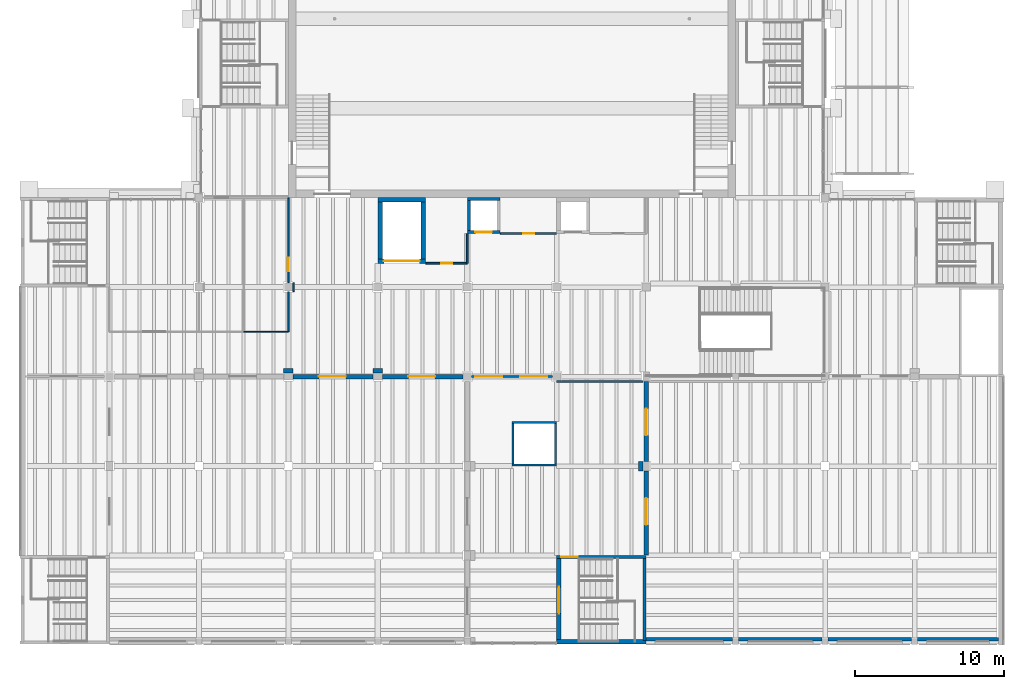
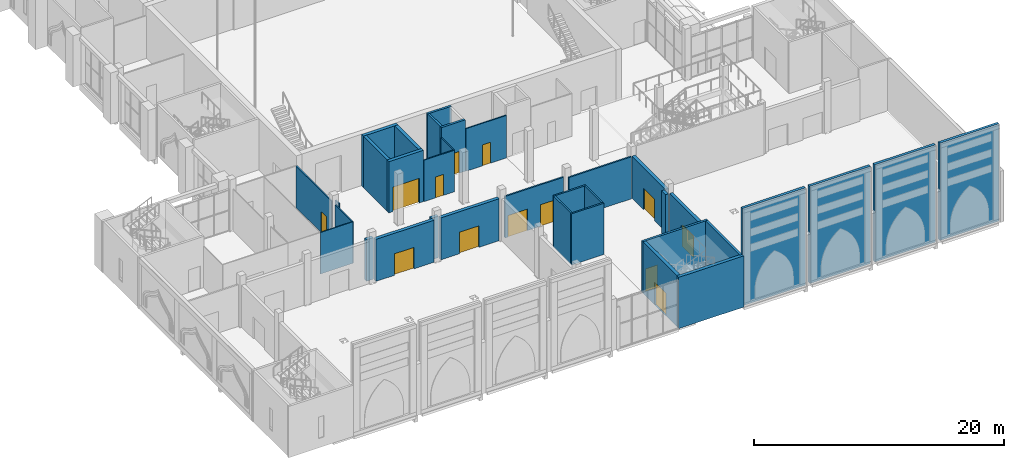
# One storey, part 38 of 80: 35 walls, 13 doors, 13 openings.
"""IFC4 building model written with IfcOpenShell, lengths in metres."""

from ifc_helpers import new_model, si_unit, direction, frame, frame_2d, origin, place, context, subcontext, project, spatial, rectangle, extrude, material, layer, layer_set, type_object, element, fill, save


model = new_model("IFC4")

# Units and contexts
model_context = context("Model", 3, precision=1e-05, world=origin(), true_north=direction((0.0, 1.0)))
body_context = subcontext(model_context, "Body", "Model", "MODEL_VIEW")
ifc_project = project(units=[si_unit("LENGTHUNIT", "METRE"), si_unit("AREAUNIT", "SQUARE_METRE"), si_unit("VOLUMEUNIT", "CUBIC_METRE"), si_unit("PLANEANGLEUNIT", "RADIAN"), si_unit("MASSUNIT", "GRAM", prefix="KILO")], contexts=[model_context])

# Site, building, storey
site_placement = place(None, origin())
site = spatial("IfcSite", under=ifc_project, at=site_placement, CompositionType="ELEMENT")
building_placement = place(site_placement, origin())
building = spatial("IfcBuilding", under=site, at=building_placement, Name="Saffron Lane Theatres", CompositionType="ELEMENT")
storey_placement = place(building_placement, frame((0.0, 0.0, 7.0)))
storey = spatial("IfcBuildingStorey", under=building, at=storey_placement, Name="L01", CompositionType="ELEMENT", Elevation=7.0)

# Walls
ifc_material_1 = material(Name="Masonry pale clay brick", Category="masonry")
ifc_layer_1 = layer(ifc_material_1, 0.25)
ifc_layer_set_1 = layer_set([ifc_layer_1], Name="Masonry pale clay brick")
wall_type_1 = type_object("IfcWallType", Name="EX-WALL BRICK 250", PredefinedType="SOLIDWALL", material=ifc_layer_set_1)
wall_1_placement = place(storey_placement, frame((65.639892578125, 0.375, 0.0), z_axis=(0.0, 0.0, 1.0), x_axis=(-1.0, 0.0, 0.0)))
element("IfcWall", 1, at=wall_1_placement, inside=storey, type_object=wall_type_1, Name="External wall L01 18", PredefinedType="SOLIDWALL", context=body_context, shape_type="SweptSolid", body=[
    extrude(rectangle(XDim=5.43994140625, YDim=0.25, at=frame_2d((2.719970703125, 0.0))), origin(), (0.0, 0.0, 1.0), 9.5),
])
for number, where, z_axis, x_axis, name in (
    (2, (59.800048828125, 0.375, 0.0), (0.0, 0.0, 1.0), (-1.0, 0.0, 0.0), "External wall L01 19"),
    (3, (53.800048828125, 0.375, 0.0), (0.0, 0.0, 1.0), (-1.0, 0.0, 0.0), "External wall L01 20"),
):
    element("IfcWall", number, at=place(storey_placement, frame(where, z_axis=z_axis, x_axis=x_axis)), inside=storey, type_object=wall_type_1, Name=name, PredefinedType="SOLIDWALL", context=body_context, shape_type="SweptSolid", body=[
        extrude(rectangle(XDim=5.60009765625, YDim=0.25, at=frame_2d((2.800048828125, 0.0))), origin(), (0.0, 0.0, 1.0), 9.5),
    ])
wall_2_placement = place(storey_placement, frame((47.800048828125, 0.375, 0.0), z_axis=(0.0, 0.0, 1.0), x_axis=(-1.0, 0.0, 0.0)))
element("IfcWall", 4, at=wall_2_placement, inside=storey, type_object=wall_type_1, Name="External wall L01 21", PredefinedType="SOLIDWALL", context=body_context, shape_type="SweptSolid", body=[
    extrude(rectangle(XDim=5.800048828125, YDim=0.25, at=frame_2d((2.89990234375, 0.0))), origin(), (0.0, 0.0, 1.0), 9.5),
])

# Wall, opening, door
ifc_material_2 = material(Name="Acoustic masonry fire wall", Category="masonry")
ifc_layer_2 = layer(ifc_material_2, 0.300048828125)
ifc_layer_set_2 = layer_set([ifc_layer_2], Name="Acoustic masonry fire wall")
wall_type_2 = type_object("IfcWallType", Name="IN-ACOUSTIC FIRE WALL 300", PredefinedType="PARTITIONING", material=ifc_layer_set_2)
wall_3_placement = place(storey_placement, frame((18.320068359375, 18.0, 0.0), z_axis=(0.0, 0.0, 1.0), x_axis=(1.0, 0.0, 0.0)))
wall_3 = element("IfcWall", 5, at=wall_3_placement, inside=storey, type_object=wall_type_2, Name="PW-L01-003", PredefinedType="PARTITIONING", context=body_context, shape_type="SweptSolid", body=[
    extrude(rectangle(XDim=5.35986328125, YDim=0.300048828125, at=frame_2d((2.679931640625, 0.0))), origin(), (0.0, 0.0, 1.0), 4.10009765625),
])
opening_1_placement = place(wall_3_placement, frame((1.72998046875, 0.0, 0.0)))
opening_1 = element("IfcOpeningElement", 6, at=opening_1_placement, cuts=wall_3, Name="Opening D01-19", PredefinedType="OPENING", context=body_context, shape_type="SweptSolid", body=[
    extrude(rectangle(XDim=1.800048828125, YDim=2.10009765625, at=frame_2d((0.89990234375, 1.050048828125))), frame((0.0, 0.16015625, 0.0), z_axis=(0.0, -1.0, 0.0), x_axis=(1.0, 0.0, 0.0)), (0.0, 0.0, 1.0), 0.320068359375),
])
ifc_material_3 = material(Name="Steel faced fire door leaf", Category="steel")
door_type_1 = type_object("IfcDoorType", Name="IN-DOOR 1800x2100 FD120", OperationType="DOUBLE_DOOR_SINGLE_SWING", PredefinedType="DOOR", material=ifc_material_3)
door_1_placement = place(opening_1_placement, origin())
door_1 = element("IfcDoor", 7, at=door_1_placement, inside=storey, type_object=door_type_1, Name="D01-19", OperationType="DOUBLE_DOOR_SINGLE_SWING", OverallHeight=2.10009765625, OverallWidth=1.800048828125, PredefinedType="DOOR", context=body_context, shape_type="SweptSolid", body=[
    extrude(rectangle(XDim=1.800048828125, YDim=2.10009765625, at=frame_2d((0.89990234375, 1.050048828125))), frame((0.0, 0.02490234375, 0.0), z_axis=(0.0, -1.0, 0.0), x_axis=(1.0, 0.0, 0.0)), (0.0, 0.0, 1.0), 0.050048828125),
])
fill(opening_1, door_1)

wall_4_placement = place(storey_placement, frame((24.320068359375, 18.0, 0.0), z_axis=(0.0, 0.0, 1.0), x_axis=(1.0, 0.0, 0.0)))
wall_4 = element("IfcWall", 8, at=wall_4_placement, inside=storey, type_object=wall_type_2, Name="PW-L01-004", PredefinedType="PARTITIONING", context=body_context, shape_type="SweptSolid", body=[
    extrude(rectangle(XDim=5.385009765625, YDim=0.300048828125, at=frame_2d((2.6923828125, 0.0))), origin(), (0.0, 0.0, 1.0), 4.10009765625),
])
opening_2_placement = place(wall_4_placement, frame((1.72998046875, 0.0, 0.0)))
opening_2 = element("IfcOpeningElement", 9, at=opening_2_placement, cuts=wall_4, Name="Opening D01-24", PredefinedType="OPENING", context=body_context, shape_type="SweptSolid", body=[
    extrude(rectangle(XDim=1.800048828125, YDim=2.10009765625, at=frame_2d((0.89990234375, 1.050048828125))), frame((0.0, 0.16015625, 0.0), z_axis=(0.0, -1.0, 0.0), x_axis=(1.0, 0.0, 0.0)), (0.0, 0.0, 1.0), 0.320068359375),
])
door_2_placement = place(opening_2_placement, origin())
door_2 = element("IfcDoor", 10, at=door_2_placement, inside=storey, type_object=door_type_1, Name="D01-24", OperationType="DOUBLE_DOOR_SINGLE_SWING", OverallHeight=2.10009765625, OverallWidth=1.800048828125, PredefinedType="DOOR", context=body_context, shape_type="SweptSolid", body=[
    extrude(rectangle(XDim=1.800048828125, YDim=2.10009765625, at=frame_2d((0.89990234375, 1.050048828125))), frame((0.0, 0.02490234375, 0.0), z_axis=(0.0, -1.0, 0.0), x_axis=(1.0, 0.0, 0.0)), (0.0, 0.0, 1.0), 0.050048828125),
])
fill(opening_2, door_2)

# Walls
for number, where, z_axis, x_axis, name in (
    (11, (17.679931640625, 18.3798828125, 0.0), (0.0, 0.0, 1.0), (1.0, 0.0, 0.0), "PW-L01-006"),
    (12, (23.679931640625, 18.3798828125, 0.0), (0.0, 0.0, 1.0), (1.0, 0.0, 0.0), "PW-L01-007"),
):
    element("IfcWall", number, at=place(storey_placement, frame(where, z_axis=z_axis, x_axis=x_axis)), inside=storey, type_object=wall_type_2, Name=name, PredefinedType="PARTITIONING", context=body_context, shape_type="SweptSolid", body=[
        extrude(rectangle(XDim=0.64013671875, YDim=0.300048828125, at=frame_2d((0.320068359375, 0.0))), origin(), (0.0, 0.0, 1.0), 4.050048828125),
    ])

# Wall, opening, door
ifc_material_4 = material(Name="Plasterboard")
ifc_layer_3 = layer(ifc_material_4, 0.026, Name="lining")
ifc_material_5 = material(Name="Mineral wool insulation")
ifc_layer_4 = layer(ifc_material_5, 0.087, Name="stud zone")
ifc_material_6 = material(Name="Air cavity", Category="air")
ifc_layer_5 = layer(ifc_material_6, 0.1, ventilated=True, Name="air gap")
ifc_layer_6 = layer(ifc_material_5, 0.061, Name="stud zone")
ifc_layer_7 = layer(ifc_material_4, 0.026, Name="lining")
ifc_layer_set_3 = layer_set([ifc_layer_3, ifc_layer_4, ifc_layer_5, ifc_layer_6, ifc_layer_7], Name="Acoustic plasterboard wall")
wall_type_3 = type_object("IfcWallType", Name="IN-ACOUSTIC WALL 300", PredefinedType="PARTITIONING", material=ifc_layer_set_3)
wall_5_placement = place(storey_placement, frame((42.0, 12.320068359375, 0.0), z_axis=(0.0, 0.0, 1.0), x_axis=(0.0, 1.0, 0.0)))
wall_5 = element("IfcWall", 13, at=wall_5_placement, inside=storey, type_object=wall_type_3, Name="PW-L01-019", PredefinedType="PARTITIONING", context=body_context, shape_type="SweptSolid", body=[
    extrude(rectangle(XDim=5.35986328125, YDim=0.300048828125, at=frame_2d((2.679931640625, 0.0))), origin(), (0.0, 0.0, 1.0), 4.10009765625),
])
opening_3_placement = place(wall_5_placement, frame((1.72998046875, 0.0, 0.0)))
opening_3 = element("IfcOpeningElement", 14, at=opening_3_placement, cuts=wall_5, Name="Opening D01-29", PredefinedType="OPENING", context=body_context, shape_type="SweptSolid", body=[
    extrude(rectangle(XDim=1.800048828125, YDim=2.10009765625, at=frame_2d((0.89990234375, 1.050048828125))), frame((0.0, 0.16015625, 0.0), z_axis=(0.0, -1.0, 0.0), x_axis=(1.0, 0.0, 0.0)), (0.0, 0.0, 1.0), 0.320068359375),
])
ifc_material_7 = material(Name="Steel faced fire door leaf", Category="steel")
door_type_2 = type_object("IfcDoorType", Name="IN-DOOR 1800x2100 FD60", OperationType="DOUBLE_DOOR_SINGLE_SWING", PredefinedType="DOOR", material=ifc_material_7)
door_3_placement = place(opening_3_placement, origin())
door_3 = element("IfcDoor", 15, at=door_3_placement, inside=storey, type_object=door_type_2, Name="D01-29", OperationType="DOUBLE_DOOR_SINGLE_SWING", OverallHeight=2.10009765625, OverallWidth=1.800048828125, PredefinedType="DOOR", context=body_context, shape_type="SweptSolid", body=[
    extrude(rectangle(XDim=1.800048828125, YDim=2.10009765625, at=frame_2d((0.89990234375, 1.050048828125))), frame((0.0, 0.02490234375, 0.0), z_axis=(0.0, -1.0, 0.0), x_axis=(1.0, 0.0, 0.0)), (0.0, 0.0, 1.0), 0.050048828125),
])
fill(opening_3, door_3)

wall_6_placement = place(storey_placement, frame((42.0, 6.02001953125, 0.0), z_axis=(0.0, 0.0, 1.0), x_axis=(0.0, 1.0, 0.0)))
wall_6 = element("IfcWall", 16, at=wall_6_placement, inside=storey, type_object=wall_type_3, Name="PW-L01-020", PredefinedType="PARTITIONING", context=body_context, shape_type="SweptSolid", body=[
    extrude(rectangle(XDim=5.659912109375, YDim=0.300048828125, at=frame_2d((2.830078125, 0.0))), origin(), (0.0, 0.0, 1.0), 4.10009765625),
])
opening_4_placement = place(wall_6_placement, frame((2.030029296875, 0.0, 0.0)))
opening_4 = element("IfcOpeningElement", 17, at=opening_4_placement, cuts=wall_6, Name="Opening D01-28", PredefinedType="OPENING", context=body_context, shape_type="SweptSolid", body=[
    extrude(rectangle(XDim=1.800048828125, YDim=2.10009765625, at=frame_2d((0.89990234375, 1.050048828125))), frame((0.0, 0.16015625, 0.0), z_axis=(0.0, -1.0, 0.0), x_axis=(1.0, 0.0, 0.0)), (0.0, 0.0, 1.0), 0.320068359375),
])
door_4_placement = place(opening_4_placement, origin())
door_4 = element("IfcDoor", 18, at=door_4_placement, inside=storey, type_object=door_type_2, Name="D01-28", OperationType="DOUBLE_DOOR_SINGLE_SWING", OverallHeight=2.10009765625, OverallWidth=1.800048828125, PredefinedType="DOOR", context=body_context, shape_type="SweptSolid", body=[
    extrude(rectangle(XDim=1.800048828125, YDim=2.10009765625, at=frame_2d((0.89990234375, 1.050048828125))), frame((0.0, 0.02490234375, 0.0), z_axis=(0.0, -1.0, 0.0), x_axis=(1.0, 0.0, 0.0)), (0.0, 0.0, 1.0), 0.050048828125),
])
fill(opening_4, door_4)

# Walls
wall_7_placement = place(storey_placement, frame((41.6201171875, 11.679931640625, 0.0), z_axis=(0.0, 0.0, 1.0), x_axis=(0.0, 1.0, 0.0)))
element("IfcWall", 19, at=wall_7_placement, inside=storey, type_object=wall_type_3, Name="PW-L01-021", PredefinedType="PARTITIONING", context=body_context, shape_type="SweptSolid", body=[
    extrude(rectangle(XDim=0.64013671875, YDim=0.300048828125, at=frame_2d((0.320068359375, 0.0))), origin(), (0.0, 0.0, 1.0), 4.10009765625),
])
ifc_material_8 = material(Name="Masonry block partition", Category="masonry")
ifc_layer_8 = layer(ifc_material_8, 0.110107421875)
ifc_layer_set_4 = layer_set([ifc_layer_8], Name="Masonry block partition")
wall_type_4 = type_object("IfcWallType", Name="IN-BLOCK PARTITION 110", PredefinedType="PARTITIONING", material=ifc_layer_set_4)
wall_8_placement = place(storey_placement, frame((18.0, 21.0, 0.0), z_axis=(0.0, 0.0, 1.0), x_axis=(0.0, 1.0, 0.0)))
element("IfcWall", 20, at=wall_8_placement, inside=storey, type_object=wall_type_4, Name="PW-L01-024", PredefinedType="PARTITIONING", context=body_context, shape_type="SweptSolid", body=[
    extrude(rectangle(XDim=2.705078125, YDim=0.110107421875, at=frame_2d((1.3525390625, 0.0))), origin(), (0.0, 0.0, 1.0), 4.050048828125),
])

# Wall, opening, door
wall_9_placement = place(storey_placement, frame((18.0, 24.294921875, 0.0), z_axis=(0.0, 0.0, 1.0), x_axis=(0.0, 1.0, 0.0)))
wall_9 = element("IfcWall", 21, at=wall_9_placement, inside=storey, type_object=wall_type_4, Name="PW-L01-025", PredefinedType="PARTITIONING", context=body_context, shape_type="SweptSolid", body=[
    extrude(rectangle(XDim=5.68505859375, YDim=0.110107421875, at=frame_2d((2.842529296875, 0.0))), origin(), (0.0, 0.0, 1.0), 4.050048828125),
])
opening_5_placement = place(wall_9_placement, frame((0.7548828125, 0.0, 0.0)))
opening_5 = element("IfcOpeningElement", 22, at=opening_5_placement, cuts=wall_9, Name="Opening D01-27", PredefinedType="OPENING", context=body_context, shape_type="SweptSolid", body=[
    extrude(rectangle(XDim=0.919921875, YDim=2.0400390625, at=frame_2d((0.4599609375, 1.02001953125))), frame((0.0, 0.06494140625, 0.0), z_axis=(0.0, -1.0, 0.0), x_axis=(1.0, 0.0, 0.0)), (0.0, 0.0, 1.0), 0.130126953125),
])
ifc_material_9 = material(Name="Steel faced fire door leaf", Category="steel")
door_type_3 = type_object("IfcDoorType", Name="IN-DOOR 920x2040 FD60", OperationType="NOTDEFINED", PredefinedType="DOOR", material=ifc_material_9)
door_5_placement = place(opening_5_placement, origin())
door_5 = element("IfcDoor", 23, at=door_5_placement, inside=storey, type_object=door_type_3, Name="D01-27", OperationType="SINGLE_SWING_LEFT", OverallHeight=2.0400390625, OverallWidth=0.919921875, PredefinedType="DOOR", context=body_context, shape_type="SweptSolid", body=[
    extrude(rectangle(XDim=0.919921875, YDim=2.0400390625, at=frame_2d((0.4599609375, 1.02001953125))), frame((0.0, 0.02490234375, 0.0), z_axis=(0.0, -1.0, 0.0), x_axis=(1.0, 0.0, 0.0)), (0.0, 0.0, 1.0), 0.050048828125),
])
fill(opening_5, door_5)

# Wall
wall_10_placement = place(storey_placement, frame((18.3349609375, 23.705078125, 0.0), z_axis=(0.0, 0.0, 1.0), x_axis=(0.0, 1.0, 0.0)))
element("IfcWall", 24, at=wall_10_placement, inside=storey, type_object=wall_type_4, Name="PW-L01-026", PredefinedType="PARTITIONING", context=body_context, shape_type="SweptSolid", body=[
    extrude(rectangle(XDim=0.58984375, YDim=0.110107421875, at=frame_2d((0.294921875, 0.0))), origin(), (0.0, 0.0, 1.0), 4.050048828125),
])

# Wall, opening, door
wall_11_placement = place(storey_placement, frame((27.219970703125, 25.60009765625, 0.0), z_axis=(0.0, 0.0, 1.0), x_axis=(1.0, 0.0, 0.0)))
wall_11 = element("IfcWall", 25, at=wall_11_placement, inside=storey, type_object=wall_type_4, Name="PW-L01-036", PredefinedType="PARTITIONING", context=body_context, shape_type="SweptSolid", body=[
    extrude(rectangle(XDim=2.780029296875, YDim=0.110107421875, at=frame_2d((1.39013671875, 0.0))), origin(), (0.0, 0.0, 1.0), 4.050048828125),
])
opening_6_placement = place(wall_11_placement, frame((1.030029296875, 0.0, 0.0)))
opening_6 = element("IfcOpeningElement", 26, at=opening_6_placement, cuts=wall_11, Name="Opening D01-58", PredefinedType="OPENING", context=body_context, shape_type="SweptSolid", body=[
    extrude(rectangle(XDim=0.75, YDim=2.0400390625, at=frame_2d((0.375, 1.02001953125))), frame((0.0, 0.06494140625, 0.0), z_axis=(0.0, -1.0, 0.0), x_axis=(1.0, 0.0, 0.0)), (0.0, 0.0, 1.0), 0.130126953125),
])
ifc_material_10 = material(Name="Steel faced fire door leaf", Category="steel")
door_type_4 = type_object("IfcDoorType", Name="IN-DOOR 750x2040 FD60", OperationType="NOTDEFINED", PredefinedType="DOOR", material=ifc_material_10)
door_6_placement = place(opening_6_placement, origin())
door_6 = element("IfcDoor", 27, at=door_6_placement, inside=storey, type_object=door_type_4, Name="D01-58", OperationType="SINGLE_SWING_LEFT", OverallHeight=2.0400390625, OverallWidth=0.75, PredefinedType="DOOR", context=body_context, shape_type="SweptSolid", body=[
    extrude(rectangle(XDim=0.75, YDim=2.0400390625, at=frame_2d((0.375, 1.02001953125))), frame((0.0, 0.02490234375, 0.0), z_axis=(0.0, -1.0, 0.0), x_axis=(1.0, 0.0, 0.0)), (0.0, 0.0, 1.0), 0.050048828125),
])
fill(opening_6, door_6)

# Wall
wall_12_placement = place(storey_placement, frame((30.0, 25.60009765625, 0.0), z_axis=(0.0, 0.0, 1.0), x_axis=(0.0, 1.0, 0.0)))
element("IfcWall", 28, at=wall_12_placement, inside=storey, type_object=wall_type_4, Name="PW-L01-037", PredefinedType="PARTITIONING", context=body_context, shape_type="SweptSolid", body=[
    extrude(rectangle(XDim=1.97998046875, YDim=0.110107421875, at=frame_2d((0.989990234375, 0.0))), origin(), (0.0, 0.0, 1.0), 4.050048828125),
])

# Wall, opening, door
wall_13_placement = place(storey_placement, frame((32.219970703125, 27.60009765625, 0.0), z_axis=(0.0, 0.0, 1.0), x_axis=(1.0, 0.0, 0.0)))
wall_13 = element("IfcWall", 29, at=wall_13_placement, inside=storey, type_object=wall_type_4, Name="PW-L01-038", PredefinedType="PARTITIONING", context=body_context, shape_type="SweptSolid", body=[
    extrude(rectangle(XDim=3.760009765625, YDim=0.110107421875, at=frame_2d((1.8798828125, 0.0))), origin(), (0.0, 0.0, 1.0), 4.14990234375),
])
opening_7_placement = place(wall_13_placement, frame((1.530029296875, 0.0, 0.0)))
opening_7 = element("IfcOpeningElement", 30, at=opening_7_placement, cuts=wall_13, Name="Opening D01-54", PredefinedType="OPENING", context=body_context, shape_type="SweptSolid", body=[
    extrude(rectangle(XDim=0.75, YDim=2.0400390625, at=frame_2d((0.375, 1.02001953125))), frame((0.0, 0.06494140625, 0.0), z_axis=(0.0, -1.0, 0.0), x_axis=(1.0, 0.0, 0.0)), (0.0, 0.0, 1.0), 0.130126953125),
])
door_7_placement = place(opening_7_placement, origin())
door_7 = element("IfcDoor", 31, at=door_7_placement, inside=storey, type_object=door_type_4, Name="D01-54", OperationType="SINGLE_SWING_LEFT", OverallHeight=2.0400390625, OverallWidth=0.75, PredefinedType="DOOR", context=body_context, shape_type="SweptSolid", body=[
    extrude(rectangle(XDim=0.75, YDim=2.0400390625, at=frame_2d((0.375, 1.02001953125))), frame((0.0, 0.02490234375, 0.0), z_axis=(0.0, -1.0, 0.0), x_axis=(1.0, 0.0, 0.0)), (0.0, 0.0, 1.0), 0.050048828125),
])
fill(opening_7, door_7)

# Wall, openings, doors
ifc_material_11 = material(Name="Masonry block partition", Category="masonry")
ifc_layer_9 = layer(ifc_material_11, 0.139892578125)
ifc_layer_set_5 = layer_set([ifc_layer_9], Name="Masonry block partition")
wall_type_5 = type_object("IfcWallType", Name="IN-BLOCK PARTITION 140", PredefinedType="PARTITIONING", material=ifc_layer_set_5)
wall_14_placement = place(storey_placement, frame((30.294921875, 18.0, 0.0), z_axis=(0.0, 0.0, 1.0), x_axis=(1.0, 0.0, 0.0)))
wall_14 = element("IfcWall", 32, at=wall_14_placement, inside=storey, type_object=wall_type_5, Name="PW-L01-055", PredefinedType="PARTITIONING", context=body_context, shape_type="SweptSolid", body=[
    extrude(rectangle(XDim=5.41015625, YDim=0.139892578125, at=frame_2d((2.705078125, 0.0))), origin(), (0.0, 0.0, 1.0), 4.050048828125),
])
opening_8_placement = place(wall_14_placement, frame((0.2548828125, 0.0, 0.0)))
opening_8 = element("IfcOpeningElement", 33, at=opening_8_placement, cuts=wall_14, Name="Opening D01-70", PredefinedType="OPENING", context=body_context, shape_type="SweptSolid", body=[
    extrude(rectangle(XDim=1.800048828125, YDim=2.10009765625, at=frame_2d((0.89990234375, 1.050048828125))), frame((0.0, 0.080078125, 0.0), z_axis=(0.0, -1.0, 0.0), x_axis=(1.0, 0.0, 0.0)), (0.0, 0.0, 1.0), 0.159912109375),
])
opening_9_placement = place(wall_14_placement, frame((3.2548828125, 0.0, 0.0)))
opening_9 = element("IfcOpeningElement", 34, at=opening_9_placement, cuts=wall_14, Name="Opening D01-71", PredefinedType="OPENING", context=body_context, shape_type="SweptSolid", body=[
    extrude(rectangle(XDim=1.800048828125, YDim=2.10009765625, at=frame_2d((0.89990234375, 1.050048828125))), frame((0.0, 0.080078125, 0.0), z_axis=(0.0, -1.0, 0.0), x_axis=(1.0, 0.0, 0.0)), (0.0, 0.0, 1.0), 0.159912109375),
])
door_8_placement = place(opening_8_placement, origin())
door_8 = element("IfcDoor", 35, at=door_8_placement, inside=storey, type_object=door_type_1, Name="D01-70", OperationType="DOUBLE_DOOR_SINGLE_SWING", OverallHeight=2.10009765625, OverallWidth=1.800048828125, PredefinedType="DOOR", context=body_context, shape_type="SweptSolid", body=[
    extrude(rectangle(XDim=1.800048828125, YDim=2.10009765625, at=frame_2d((0.89990234375, 1.050048828125))), frame((0.0, 0.02490234375, 0.0), z_axis=(0.0, -1.0, 0.0), x_axis=(1.0, 0.0, 0.0)), (0.0, 0.0, 1.0), 0.050048828125),
])
fill(opening_8, door_8)
door_9_placement = place(opening_9_placement, origin())
door_9 = element("IfcDoor", 36, at=door_9_placement, inside=storey, type_object=door_type_1, Name="D01-71", OperationType="DOUBLE_DOOR_SINGLE_SWING", OverallHeight=2.10009765625, OverallWidth=1.800048828125, PredefinedType="DOOR", context=body_context, shape_type="SweptSolid", body=[
    extrude(rectangle(XDim=1.800048828125, YDim=2.10009765625, at=frame_2d((0.89990234375, 1.050048828125))), frame((0.0, 0.02490234375, 0.0), z_axis=(0.0, -1.0, 0.0), x_axis=(1.0, 0.0, 0.0)), (0.0, 0.0, 1.0), 0.050048828125),
])
fill(opening_9, door_9)

# Walls
wall_15_placement = place(storey_placement, frame((36.0, 17.679931640625, 0.0), z_axis=(0.0, 0.0, 1.0), x_axis=(1.0, 0.0, 0.0)))
element("IfcWall", 37, at=wall_15_placement, inside=storey, type_object=wall_type_5, Name="PW-L01-056", PredefinedType="PARTITIONING", context=body_context, shape_type="SweptSolid", body=[
    extrude(rectangle(XDim=5.77490234375, YDim=0.139892578125, at=frame_2d((2.887451171875, 0.0))), origin(), (0.0, 0.0, 1.0), 4.10009765625),
])
ifc_material_12 = material(Name="Plasterboard on 70 mm steel studs", Category="steel")
ifc_layer_10 = layer(ifc_material_12, 0.070068359375)
ifc_layer_set_6 = layer_set([ifc_layer_10], Name="Plasterboard on 70 mm steel studs")
wall_type_6 = type_object("IfcWallType", Name="IN-STUD PARTITION 070", PredefinedType="PARTITIONING", material=ifc_layer_set_6)
wall_16_placement = place(storey_placement, frame((15.0, 21.0, 0.0), z_axis=(0.0, 0.0, 1.0), x_axis=(1.0, 0.0, 0.0)))
element("IfcWall", 38, at=wall_16_placement, inside=storey, type_object=wall_type_6, Name="PW-L01-070", PredefinedType="PARTITIONING", context=body_context, shape_type="SweptSolid", body=[
    extrude(rectangle(XDim=3.0, YDim=0.070068359375, at=frame_2d((1.5, 0.0))), origin(), (0.0, 0.0, 1.0), 4.050048828125),
])
ifc_material_13 = material(Name="Concrete N50 (50 MPa)", Category="concrete")
ifc_layer_11 = layer(ifc_material_13, 0.14990234375)
ifc_layer_set_7 = layer_set([ifc_layer_11], Name="Concrete N50 (50 MPa)")
wall_type_7 = type_object("IfcWallType", Name="RC-CORE 150", PredefinedType="SHEAR", material=ifc_layer_set_7)
for number, where, z_axis, x_axis, name in (
    (39, (33.0, 14.925048828125, 0.0), (0.0, 0.0, 1.0), (1.0, 0.0, 0.0), "W-R5-N-L01"),
    (40, (33.0, 12.074951171875, 0.0), (0.0, 0.0, 1.0), (1.0, 0.0, 0.0), "W-R5-S-L01"),
):
    element("IfcWall", number, at=place(storey_placement, frame(where, z_axis=z_axis, x_axis=x_axis)), inside=storey, type_object=wall_type_7, Name=name, PredefinedType="SHEAR", context=body_context, shape_type="SweptSolid", body=[
        extrude(rectangle(XDim=3.0, YDim=0.14990234375, at=frame_2d((1.5, 0.0))), origin(), (0.0, 0.0, 1.0), 5.0),
    ])
for number, where, z_axis, x_axis, name in (
    (41, (33.074951171875, 12.14990234375, 0.0), (0.0, 0.0, 1.0), (0.0, 1.0, 0.0), "W-R5-W-L01"),
    (42, (35.925048828125, 12.14990234375, 0.0), (0.0, 0.0, 1.0), (0.0, 1.0, 0.0), "W-R5-E-L01"),
):
    element("IfcWall", number, at=place(storey_placement, frame(where, z_axis=z_axis, x_axis=x_axis)), inside=storey, type_object=wall_type_7, Name=name, PredefinedType="SHEAR", context=body_context, shape_type="SweptSolid", body=[
        extrude(rectangle(XDim=2.7001953125, YDim=0.14990234375, at=frame_2d((1.35009765625, 0.0))), origin(), (0.0, 0.0, 1.0), 5.0),
    ])

# Wall, opening, door
ifc_material_14 = material(Name="Concrete N50 (50 MPa)", Category="concrete")
ifc_layer_12 = layer(ifc_material_14, 0.199951171875)
ifc_layer_set_8 = layer_set([ifc_layer_12], Name="Concrete N50 (50 MPa)")
wall_type_8 = type_object("IfcWallType", Name="RC-CORE 200", PredefinedType="SHEAR", material=ifc_layer_set_8)
wall_17_placement = place(storey_placement, frame((36.0, 5.89990234375, 0.0), z_axis=(0.0, 0.0, 1.0), x_axis=(1.0, 0.0, 0.0)))
wall_17 = element("IfcWall", 43, at=wall_17_placement, inside=storey, type_object=wall_type_8, Name="W-ST9-N-L01", PredefinedType="SHEAR", context=body_context, shape_type="SweptSolid", body=[
    extrude(rectangle(XDim=6.0, YDim=0.199951171875, at=frame_2d((3.0, 0.0))), origin(), (0.0, 0.0, 1.0), 5.0),
])
opening_10_placement = place(wall_17_placement, frame((0.300048828125, 0.0, 0.0)))
opening_10 = element("IfcOpeningElement", 44, at=opening_10_placement, cuts=wall_17, Name="Opening D01-45", PredefinedType="OPENING", context=body_context, shape_type="SweptSolid", body=[
    extrude(rectangle(XDim=1.10009765625, YDim=2.199951171875, at=frame_2d((0.550048828125, 1.10009765625))), frame((0.0, 0.10986328125, 0.0), z_axis=(0.0, -1.0, 0.0), x_axis=(1.0, 0.0, 0.0)), (0.0, 0.0, 1.0), 0.219970703125),
])
ifc_material_15 = material(Name="Steel faced fire door leaf", Category="steel")
door_type_5 = type_object("IfcDoorType", Name="IN-DOOR 1100x2200 FD120", OperationType="NOTDEFINED", PredefinedType="DOOR", material=ifc_material_15)
door_10_placement = place(opening_10_placement, frame((1.10009765625, 0.0, 0.0), z_axis=(0.0, 0.0, 1.0), x_axis=(-1.0, 0.0, 0.0)))
door_10 = element("IfcDoor", 45, at=door_10_placement, inside=storey, type_object=door_type_5, Name="D01-45", OperationType="SINGLE_SWING_LEFT", OverallHeight=2.199951171875, OverallWidth=1.10009765625, PredefinedType="DOOR", context=body_context, shape_type="SweptSolid", body=[
    extrude(rectangle(XDim=1.10009765625, YDim=2.199951171875, at=frame_2d((0.550048828125, 1.10009765625))), frame((0.0, 0.02490234375, 0.0), z_axis=(0.0, -1.0, 0.0), x_axis=(1.0, 0.0, 0.0)), (0.0, 0.0, 1.0), 0.050048828125),
])
fill(opening_10, door_10)

# Walls
wall_18_placement = place(storey_placement, frame((41.89990234375, 0.300048828125, 0.0), z_axis=(0.0, 0.0, 1.0), x_axis=(0.0, 1.0, 0.0)))
element("IfcWall", 46, at=wall_18_placement, inside=storey, type_object=wall_type_8, Name="W-ST9-E-L01", PredefinedType="SHEAR", context=body_context, shape_type="SweptSolid", body=[
    extrude(rectangle(XDim=5.5, YDim=0.199951171875, at=frame_2d((2.75, 0.0))), origin(), (0.0, 0.0, 1.0), 5.0),
])
wall_19_placement = place(storey_placement, frame((30.0, 29.89990234375, 0.0), z_axis=(0.0, 0.0, 1.0), x_axis=(1.0, 0.0, 0.0)))
element("IfcWall", 47, at=wall_19_placement, inside=storey, type_object=wall_type_8, Name="W-LC5-N-L01", PredefinedType="SHEAR", context=body_context, shape_type="SweptSolid", body=[
    extrude(rectangle(XDim=2.199951171875, YDim=0.199951171875, at=frame_2d((1.10009765625, 0.0))), origin(), (0.0, 0.0, 1.0), 5.0),
])

# Wall, opening, door
wall_20_placement = place(storey_placement, frame((30.0, 27.699951171875, 0.0), z_axis=(0.0, 0.0, 1.0), x_axis=(1.0, 0.0, 0.0)))
wall_20 = element("IfcWall", 48, at=wall_20_placement, inside=storey, type_object=wall_type_8, Name="W-LC5-S-L01", PredefinedType="SHEAR", context=body_context, shape_type="SweptSolid", body=[
    extrude(rectangle(XDim=2.199951171875, YDim=0.199951171875, at=frame_2d((1.10009765625, 0.0))), origin(), (0.0, 0.0, 1.0), 5.0),
])
opening_11_placement = place(wall_20_placement, frame((0.550048828125, 0.0, 0.0)))
opening_11 = element("IfcOpeningElement", 49, at=opening_11_placement, cuts=wall_20, Name="Opening LD18", PredefinedType="OPENING", context=body_context, shape_type="SweptSolid", body=[
    extrude(rectangle(XDim=1.10009765625, YDim=2.10009765625, at=frame_2d((0.550048828125, 1.050048828125))), frame((0.0, 0.10986328125, 0.0), z_axis=(0.0, -1.0, 0.0), x_axis=(1.0, 0.0, 0.0)), (0.0, 0.0, 1.0), 0.219970703125),
])
ifc_material_16 = material(Name="Stainless steel 316", Category="steel")
door_type_6 = type_object("IfcDoorType", Name="VC-LANDING DOOR 1100x2100", OperationType="DOUBLE_DOOR_SLIDING", PredefinedType="DOOR", material=ifc_material_16)
door_11_placement = place(opening_11_placement, origin())
door_11 = element("IfcDoor", 50, at=door_11_placement, inside=storey, type_object=door_type_6, Name="Landing doors LC5 L01", OperationType="DOUBLE_DOOR_SLIDING", OverallHeight=2.10009765625, OverallWidth=1.10009765625, PredefinedType="DOOR", context=body_context, shape_type="SweptSolid", body=[
    extrude(rectangle(XDim=1.10009765625, YDim=2.10009765625, at=frame_2d((0.550048828125, 1.050048828125))), frame((0.0, 0.02490234375, 0.0), z_axis=(0.0, -1.0, 0.0), x_axis=(1.0, 0.0, 0.0)), (0.0, 0.0, 1.0), 0.050048828125),
])
fill(opening_11, door_11)

# Wall
wall_21_placement = place(storey_placement, frame((30.10009765625, 27.800048828125, 0.0), z_axis=(0.0, 0.0, 1.0), x_axis=(0.0, 1.0, 0.0)))
element("IfcWall", 51, at=wall_21_placement, inside=storey, type_object=wall_type_8, Name="W-LC5-W-L01", PredefinedType="SHEAR", context=body_context, shape_type="SweptSolid", body=[
    extrude(rectangle(XDim=2.0, YDim=0.199951171875, at=frame_2d((1.0, 0.0))), origin(), (0.0, 0.0, 1.0), 5.0),
])

# Wall, opening, door
ifc_material_17 = material(Name="Concrete N50 (50 MPa)", Category="concrete")
ifc_layer_13 = layer(ifc_material_17, 0.300048828125)
ifc_layer_set_9 = layer_set([ifc_layer_13], Name="Concrete N50 (50 MPa)")
wall_type_9 = type_object("IfcWallType", Name="RC-CORE 300", PredefinedType="SHEAR", material=ifc_layer_set_9)
wall_22_placement = place(storey_placement, frame((36.14990234375, 0.300048828125, 0.0), z_axis=(0.0, 0.0, 1.0), x_axis=(0.0, 1.0, 0.0)))
wall_22 = element("IfcWall", 52, at=wall_22_placement, inside=storey, type_object=wall_type_9, Name="W-ST9-W-L01", PredefinedType="SHEAR", context=body_context, shape_type="SweptSolid", body=[
    extrude(rectangle(XDim=5.5, YDim=0.300048828125, at=frame_2d((2.75, 0.0))), origin(), (0.0, 0.0, 1.0), 5.0),
])
opening_12_placement = place(wall_22_placement, frame((1.800048828125, 0.0, 0.0)))
opening_12 = element("IfcOpeningElement", 53, at=opening_12_placement, cuts=wall_22, Name="Opening D01-44", PredefinedType="OPENING", context=body_context, shape_type="SweptSolid", body=[
    extrude(rectangle(XDim=1.800048828125, YDim=2.199951171875, at=frame_2d((0.89990234375, 1.10009765625))), frame((0.0, 0.16015625, 0.0), z_axis=(0.0, -1.0, 0.0), x_axis=(1.0, 0.0, 0.0)), (0.0, 0.0, 1.0), 0.320068359375),
])
ifc_material_18 = material(Name="Steel faced fire door leaf", Category="steel")
door_type_7 = type_object("IfcDoorType", Name="IN-DOOR 1800x2200 FD120", OperationType="DOUBLE_DOOR_SINGLE_SWING", PredefinedType="DOOR", material=ifc_material_18)
door_12_placement = place(opening_12_placement, frame((1.800048828125, 0.0, 0.0), z_axis=(0.0, 0.0, 1.0), x_axis=(-1.0, 0.0, 0.0)))
door_12 = element("IfcDoor", 54, at=door_12_placement, inside=storey, type_object=door_type_7, Name="D01-44", OperationType="DOUBLE_DOOR_SINGLE_SWING", OverallHeight=2.199951171875, OverallWidth=1.800048828125, PredefinedType="DOOR", context=body_context, shape_type="SweptSolid", body=[
    extrude(rectangle(XDim=1.800048828125, YDim=2.199951171875, at=frame_2d((0.89990234375, 1.10009765625))), frame((0.0, 0.02490234375, 0.0), z_axis=(0.0, -1.0, 0.0), x_axis=(1.0, 0.0, 0.0)), (0.0, 0.0, 1.0), 0.050048828125),
])
fill(opening_12, door_12)

# Wall
wall_23_placement = place(storey_placement, frame((24.0, 29.85009765625, 0.0), z_axis=(0.0, 0.0, 1.0), x_axis=(1.0, 0.0, 0.0)))
element("IfcWall", 55, at=wall_23_placement, inside=storey, type_object=wall_type_9, Name="W-LG1-N-L01", PredefinedType="SHEAR", context=body_context, shape_type="SweptSolid", body=[
    extrude(rectangle(XDim=3.199951171875, YDim=0.300048828125, at=frame_2d((1.60009765625, 0.0))), origin(), (0.0, 0.0, 1.0), 5.0),
])

# Wall, opening, door
wall_24_placement = place(storey_placement, frame((24.0, 25.75, 0.0), z_axis=(0.0, 0.0, 1.0), x_axis=(1.0, 0.0, 0.0)))
wall_24 = element("IfcWall", 56, at=wall_24_placement, inside=storey, type_object=wall_type_9, Name="W-LG1-S-L01", PredefinedType="SHEAR", context=body_context, shape_type="SweptSolid", body=[
    extrude(rectangle(XDim=3.199951171875, YDim=0.300048828125, at=frame_2d((1.60009765625, 0.0))), origin(), (0.0, 0.0, 1.0), 5.0),
])
opening_13_placement = place(wall_24_placement, frame((0.39990234375, 0.0, 0.0)))
opening_13 = element("IfcOpeningElement", 57, at=opening_13_placement, cuts=wall_24, Name="Opening LD30", PredefinedType="OPENING", context=body_context, shape_type="SweptSolid", body=[
    extrude(rectangle(XDim=2.39990234375, YDim=2.39990234375, at=frame_2d((1.199951171875, 1.199951171875))), frame((0.0, 0.16015625, 0.0), z_axis=(0.0, -1.0, 0.0), x_axis=(1.0, 0.0, 0.0)), (0.0, 0.0, 1.0), 0.320068359375),
])
ifc_material_19 = material(Name="Stainless steel 316", Category="steel")
door_type_8 = type_object("IfcDoorType", Name="VC-LANDING DOOR 2400x2400", OperationType="DOUBLE_DOOR_SLIDING", PredefinedType="DOOR", material=ifc_material_19)
door_13_placement = place(opening_13_placement, origin())
door_13 = element("IfcDoor", 58, at=door_13_placement, inside=storey, type_object=door_type_8, Name="Landing doors LG1 L01", OperationType="DOUBLE_DOOR_SLIDING", OverallHeight=2.39990234375, OverallWidth=2.39990234375, PredefinedType="DOOR", context=body_context, shape_type="SweptSolid", body=[
    extrude(rectangle(XDim=2.39990234375, YDim=2.39990234375, at=frame_2d((1.199951171875, 1.199951171875))), frame((0.0, 0.02490234375, 0.0), z_axis=(0.0, -1.0, 0.0), x_axis=(1.0, 0.0, 0.0)), (0.0, 0.0, 1.0), 0.050048828125),
])
fill(opening_13, door_13)

# Walls
for number, where, z_axis, x_axis, name in (
    (59, (24.14990234375, 25.89990234375, 0.0), (0.0, 0.0, 1.0), (0.0, 1.0, 0.0), "W-LG1-W-L01"),
    (60, (27.050048828125, 25.89990234375, 0.0), (0.0, 0.0, 1.0), (0.0, 1.0, 0.0), "W-LG1-E-L01"),
):
    element("IfcWall", number, at=place(storey_placement, frame(where, z_axis=z_axis, x_axis=x_axis)), inside=storey, type_object=wall_type_9, Name=name, PredefinedType="SHEAR", context=body_context, shape_type="SweptSolid", body=[
        extrude(rectangle(XDim=3.800048828125, YDim=0.300048828125, at=frame_2d((1.89990234375, 0.0))), origin(), (0.0, 0.0, 1.0), 5.0),
    ])
ifc_material_20 = material(Name="Concrete N50 (50 MPa)", Category="concrete")
ifc_layer_14 = layer(ifc_material_20, 0.300048828125)
ifc_layer_set_10 = layer_set([ifc_layer_14], Name="Concrete N50 (50 MPa)")
wall_type_10 = type_object("IfcWallType", Name="RC-CORE EXTERNAL 300", PredefinedType="SHEAR", material=ifc_layer_set_10)
wall_25_placement = place(storey_placement, frame((36.0, 0.2099609375, 0.0), z_axis=(0.0, 0.0, 1.0), x_axis=(1.0, 0.0, 0.0)))
element("IfcWall", 61, at=wall_25_placement, inside=storey, type_object=wall_type_10, Name="W-ST9-S-L01", PredefinedType="SHEAR", context=body_context, shape_type="SweptSolid", body=[
    extrude(rectangle(XDim=6.0, YDim=0.300048828125, at=frame_2d((3.0, 0.0))), origin(), (0.0, 0.0, 1.0), 5.0),
])

save(model, "model.ifc")
